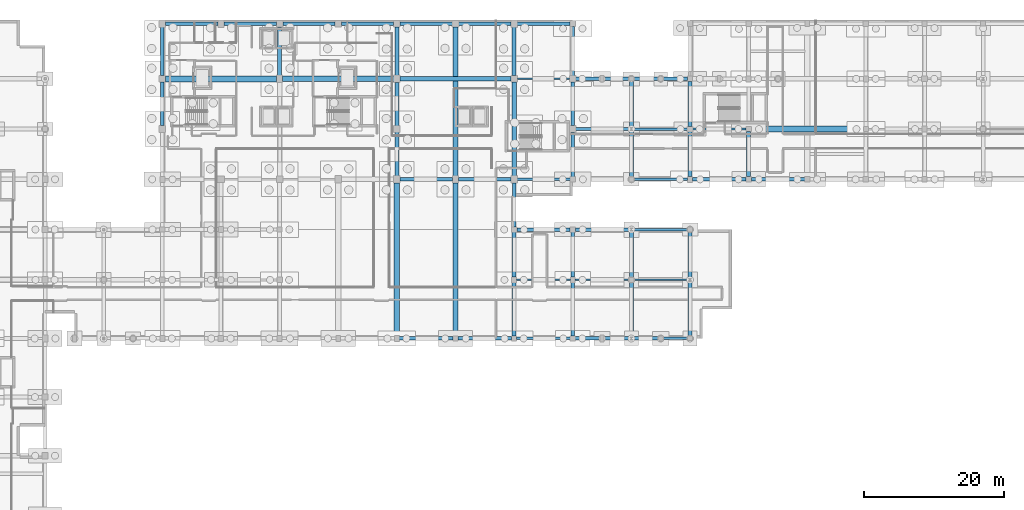
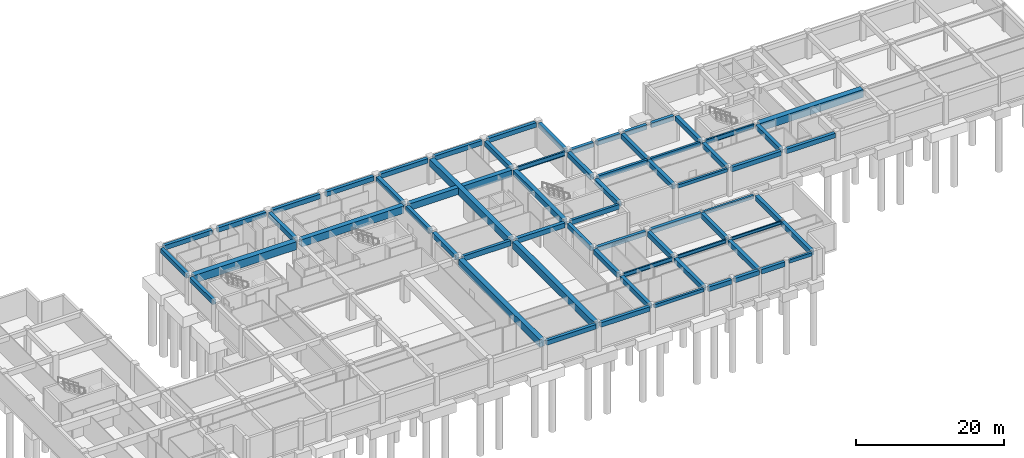
# One storey, part 21 of 42: 66 beams.
"""IFC4 building model written with IfcOpenShell, lengths in metres."""

from ifc_helpers import new_model, si_unit, direction, frame, origin, origin_2d, place, context, subcontext, project, spatial, rectangle, i_section, extrude, material, material_profile, profile_set, type_object, element, save


model = new_model("IFC4")

# Units and contexts
model_context = context("Model", 3, precision=1e-05, world=origin(), true_north=direction((0.0, 1.0)))
body_context = subcontext(model_context, "Body", "Model", "MODEL_VIEW")
ifc_project = project(units=[si_unit("LENGTHUNIT", "METRE"), si_unit("AREAUNIT", "SQUARE_METRE"), si_unit("VOLUMEUNIT", "CUBIC_METRE"), si_unit("PLANEANGLEUNIT", "RADIAN"), si_unit("MASSUNIT", "GRAM", prefix="KILO")], contexts=[model_context])

# Site, building, storey
site_placement = place(None, origin())
site = spatial("IfcSite", under=ifc_project, at=site_placement, CompositionType="ELEMENT")
building_placement = place(site_placement, origin())
building = spatial("IfcBuilding", under=site, at=building_placement, Name="Quendrovan Civic Courthouse", CompositionType="ELEMENT")
storey_placement = place(building_placement, frame((0.0, 0.0, -4.5)))
storey = spatial("IfcBuildingStorey", under=building, at=storey_placement, Name="B1", CompositionType="ELEMENT", Elevation=-4.5)

# Beams
ifc_material_1 = material(Name="Post-tensioned concrete C50/60", Category="concrete")
ifc_material_profile_1 = material_profile(ifc_material_1, rectangle(XDim=0.699951171875, YDim=1.10009765625, at=origin_2d()), Name="PT-GIRD-700x1100")
ifc_profile_set_1 = profile_set([ifc_material_profile_1], Name="Post-tensioned concrete C50/60")
beam_type_1 = type_object("IfcBeamType", Name="BM-PT1100", PredefinedType="BEAM", material=ifc_profile_set_1)
beam_1_placement = place(storey_placement, frame((67.6298828125, 102.0, 3.669921875), z_axis=(1.0, 0.0, 0.0), x_axis=(0.0, 1.0, 0.0)))
element("IfcBeam", 1, at=beam_1_placement, inside=storey, type_object=beam_type_1, Name="B1 Girder X0105", PredefinedType="BEAM", context=body_context, shape_type="SweptSolid", body=[
    extrude(rectangle(XDim=0.699951171875, YDim=1.10009765625, at=origin_2d()), origin(), (0.0, 0.0, 1.0), 15.9150390625),
])
ifc_material_profile_2 = material_profile(ifc_material_1, rectangle(XDim=0.75, YDim=1.199951171875, at=origin_2d()), Name="PT-GIRD-750x1200")
ifc_profile_set_2 = profile_set([ifc_material_profile_2], Name="Post-tensioned concrete C50/60")
beam_type_2 = type_object("IfcBeamType", Name="BM-PT1200", PredefinedType="BEAM", material=ifc_profile_set_2)
beam_2_placement = place(storey_placement, frame((50.830078125, 102.0, 3.6201171875), z_axis=(1.0, 0.0, 0.0), x_axis=(0.0, 1.0, 0.0)))
element("IfcBeam", 2, at=beam_2_placement, inside=storey, type_object=beam_type_2, Name="B1 Girder X0104", PredefinedType="BEAM", context=body_context, shape_type="SweptSolid", body=[
    extrude(rectangle(XDim=0.75, YDim=1.199951171875, at=origin_2d()), origin(), (0.0, 0.0, 1.0), 15.93994140625),
])
beam_3_placement = place(storey_placement, frame((67.199951171875, 65.205078125, 3.6201171875), z_axis=(0.0, 1.0, 0.0), x_axis=(-1.0, 0.0, 0.0)))
element("IfcBeam", 3, at=beam_3_placement, inside=storey, type_object=beam_type_2, Name="B1 Girder Y0186", PredefinedType="BEAM", context=body_context, shape_type="SweptSolid", body=[
    extrude(rectangle(XDim=0.75, YDim=1.199951171875, at=origin_2d()), origin(), (0.0, 0.0, 1.0), 21.889892578125),
])
beam_4_placement = place(storey_placement, frame((75.60009765625, 65.155029296875, 3.6201171875), z_axis=(0.0, 1.0, 0.0), x_axis=(-1.0, 0.0, 0.0)))
element("IfcBeam", 4, at=beam_4_placement, inside=storey, type_object=beam_type_2, Name="B1 Girder Y0192", PredefinedType="BEAM", context=body_context, shape_type="SweptSolid", body=[
    extrude(rectangle(XDim=0.75, YDim=1.199951171875, at=origin_2d()), origin(), (0.0, 0.0, 1.0), 21.93994140625),
])
beam_5_placement = place(storey_placement, frame((75.60009765625, 88.10498046875, 3.6201171875), z_axis=(0.0, 1.0, 0.0), x_axis=(-1.0, 0.0, 0.0)))
element("IfcBeam", 5, at=beam_5_placement, inside=storey, type_object=beam_type_2, Name="B1 Girder Y0193", PredefinedType="BEAM", context=body_context, shape_type="SweptSolid", body=[
    extrude(rectangle(XDim=0.75, YDim=1.199951171875, at=origin_2d()), origin(), (0.0, 0.0, 1.0), 21.340087890625),
])
ifc_material_profile_3 = material_profile(ifc_material_1, rectangle(XDim=0.85009765625, YDim=1.300048828125, at=origin_2d()), Name="PT-GRD-850x1300")
ifc_profile_set_3 = profile_set([ifc_material_profile_3], Name="Post-tensioned concrete C50/60")
beam_type_3 = type_object("IfcBeamType", Name="BM-PT1300", PredefinedType="BEAM", material=ifc_profile_set_3)
beam_6_placement = place(storey_placement, frame((117.955078125, 94.800048828125, 3.570068359375), z_axis=(1.0, 0.0, 0.0), x_axis=(0.0, 1.0, 0.0)))
element("IfcBeam", 6, at=beam_6_placement, inside=storey, type_object=beam_type_3, Name="B1 Girder X0097", PredefinedType="BEAM", context=body_context, shape_type="SweptSolid", body=[
    extrude(rectangle(XDim=0.85009765625, YDim=1.300048828125, at=origin_2d()), origin(), (0.0, 0.0, 1.0), 16.08984375),
])
beam_7_placement = place(storey_placement, frame((34.054931640625, 102.0, 3.570068359375), z_axis=(1.0, 0.0, 0.0), x_axis=(0.0, 1.0, 0.0)))
element("IfcBeam", 7, at=beam_7_placement, inside=storey, type_object=beam_type_3, Name="B1 Girder X0103", PredefinedType="BEAM", context=body_context, shape_type="SweptSolid", body=[
    extrude(rectangle(XDim=0.85009765625, YDim=1.300048828125, at=origin_2d()), origin(), (0.0, 0.0, 1.0), 15.9150390625),
])
ifc_material_profile_4 = material_profile(ifc_material_1, rectangle(XDim=0.64990234375, YDim=0.949951171875, at=origin_2d()), Name="PT-GIRD-650x950")
ifc_profile_set_4 = profile_set([ifc_material_profile_4], Name="Post-tensioned concrete C50/60")
beam_type_4 = type_object("IfcBeamType", Name="BM-PT950", PredefinedType="BEAM", material=ifc_profile_set_4)
beam_8_placement = place(storey_placement, frame((84.0, 88.10498046875, 3.7451171875), z_axis=(0.0, 1.0, 0.0), x_axis=(-1.0, 0.0, 0.0)))
element("IfcBeam", 8, at=beam_8_placement, inside=storey, type_object=beam_type_4, Name="B1 Girder Y0198", PredefinedType="BEAM", context=body_context, shape_type="SweptSolid", body=[
    extrude(rectangle(XDim=0.64990234375, YDim=0.949951171875, at=origin_2d()), origin(), (0.0, 0.0, 1.0), 13.43994140625),
])
ifc_material_2 = material(Name="Concrete C40/50", Category="concrete")
ifc_material_profile_5 = material_profile(ifc_material_2, rectangle(XDim=0.35009765625, YDim=0.550048828125, at=origin_2d()), Name="RC-BM-350x550")
ifc_profile_set_5 = profile_set([ifc_material_profile_5], Name="Concrete C40/50")
beam_type_5 = type_object("IfcBeamType", Name="BM-RC550", PredefinedType="LINTEL", material=ifc_profile_set_5)
beam_9_placement = place(storey_placement, frame((84.35498046875, 64.800048828125, 3.945068359375), z_axis=(1.0, 0.0, 0.0), x_axis=(0.0, 1.0, 0.0)))
element("IfcBeam", 9, at=beam_9_placement, inside=storey, type_object=beam_type_5, Name="B1 Girder X0057", PredefinedType="LINTEL", context=body_context, shape_type="SweptSolid", body=[
    extrude(rectangle(XDim=0.35009765625, YDim=0.550048828125, at=origin_2d()), origin(), (0.0, 0.0, 1.0), 7.68994140625),
])
beam_10_placement = place(storey_placement, frame((105.35498046875, 64.800048828125, 3.945068359375), z_axis=(1.0, 0.0, 0.0), x_axis=(0.0, 1.0, 0.0)))
element("IfcBeam", 10, at=beam_10_placement, inside=storey, type_object=beam_type_5, Name="B1 Girder X0061", PredefinedType="LINTEL", context=body_context, shape_type="SweptSolid", body=[
    extrude(rectangle(XDim=0.35009765625, YDim=0.550048828125, at=origin_2d()), origin(), (0.0, 0.0, 1.0), 3.5400390625),
])
beam_11_placement = place(storey_placement, frame((100.967041015625, 80.39990234375, 3.945068359375), z_axis=(1.0, 0.0, 0.0), x_axis=(0.0, 1.0, 0.0)))
element("IfcBeam", 11, at=beam_11_placement, inside=storey, type_object=beam_type_5, Name="B1 Girder X0077", PredefinedType="LINTEL", context=body_context, shape_type="SweptSolid", body=[
    extrude(rectangle(XDim=0.35009765625, YDim=0.550048828125, at=origin_2d()), origin(), (0.0, 0.0, 1.0), 7.903076171875),
])
beam_12_placement = place(storey_placement, frame((101.1298828125, 87.60009765625, 3.945068359375), z_axis=(1.0, 0.0, 0.0), x_axis=(0.0, 1.0, 0.0)))
element("IfcBeam", 12, at=beam_12_placement, inside=storey, type_object=beam_type_5, Name="B1 Girder X0085", PredefinedType="LINTEL", context=body_context, shape_type="SweptSolid", body=[
    extrude(rectangle(XDim=0.35009765625, YDim=0.550048828125, at=origin_2d()), origin(), (0.0, 0.0, 1.0), 7.740234375),
])
ifc_material_profile_6 = material_profile(ifc_material_2, rectangle(XDim=0.35009765625, YDim=0.64990234375, at=origin_2d()), Name="RC-BM-350x650")
ifc_profile_set_6 = profile_set([ifc_material_profile_6], Name="Concrete C40/50")
beam_type_6 = type_object("IfcBeamType", Name="BM-RC650B", PredefinedType="BEAM", material=ifc_profile_set_6)
beam_13_placement = place(storey_placement, frame((100.967041015625, 94.800048828125, 3.89501953125), z_axis=(1.0, 0.0, 0.0), x_axis=(0.0, 1.0, 0.0)))
element("IfcBeam", 13, at=beam_13_placement, inside=storey, type_object=beam_type_6, Name="B1 Girder X0095", PredefinedType="BEAM", context=body_context, shape_type="SweptSolid", body=[
    extrude(rectangle(XDim=0.35009765625, YDim=0.64990234375, at=origin_2d()), origin(), (0.0, 0.0, 1.0), 7.85302734375),
])
ifc_material_profile_7 = material_profile(ifc_material_2, rectangle(XDim=0.5, YDim=0.75, at=origin_2d()), Name="RC-BM-500x750")
ifc_profile_set_7 = profile_set([ifc_material_profile_7], Name="Concrete C40/50")
beam_type_7 = type_object("IfcBeamType", Name="BM-RC750", PredefinedType="SPANDREL", material=ifc_profile_set_7)
beam_14_placement = place(storey_placement, frame((67.530029296875, 64.800048828125, 3.844970703125), z_axis=(1.0, 0.0, 0.0), x_axis=(0.0, 1.0, 0.0)))
element("IfcBeam", 14, at=beam_14_placement, inside=storey, type_object=beam_type_7, Name="B1 Girder X0055", PredefinedType="SPANDREL", context=body_context, shape_type="SweptSolid", body=[
    extrude(rectangle(XDim=0.5, YDim=0.75, at=origin_2d()), origin(), (0.0, 0.0, 1.0), 7.715087890625),
])
beam_15_placement = place(storey_placement, frame((75.955078125, 64.800048828125, 3.844970703125), z_axis=(1.0, 0.0, 0.0), x_axis=(0.0, 1.0, 0.0)))
element("IfcBeam", 15, at=beam_15_placement, inside=storey, type_object=beam_type_7, Name="B1 Girder X0056", PredefinedType="SPANDREL", context=body_context, shape_type="SweptSolid", body=[
    extrude(rectangle(XDim=0.5, YDim=0.75, at=origin_2d()), origin(), (0.0, 0.0, 1.0), 7.68994140625),
])
beam_16_placement = place(storey_placement, frame((92.7548828125, 64.800048828125, 3.844970703125), z_axis=(1.0, 0.0, 0.0), x_axis=(0.0, 1.0, 0.0)))
element("IfcBeam", 16, at=beam_16_placement, inside=storey, type_object=beam_type_7, Name="B1 Girder X0058", PredefinedType="SPANDREL", context=body_context, shape_type="SweptSolid", body=[
    extrude(rectangle(XDim=0.5, YDim=0.75, at=origin_2d()), origin(), (0.0, 0.0, 1.0), 3.590087890625),
])
beam_17_placement = place(storey_placement, frame((96.85498046875, 64.800048828125, 3.844970703125), z_axis=(1.0, 0.0, 0.0), x_axis=(0.0, 1.0, 0.0)))
element("IfcBeam", 17, at=beam_17_placement, inside=storey, type_object=beam_type_7, Name="B1 Girder X0059", PredefinedType="SPANDREL", context=body_context, shape_type="SweptSolid", body=[
    extrude(rectangle(XDim=0.5, YDim=0.75, at=origin_2d()), origin(), (0.0, 0.0, 1.0), 3.778076171875),
])
beam_18_placement = place(storey_placement, frame((100.967041015625, 64.800048828125, 3.844970703125), z_axis=(1.0, 0.0, 0.0), x_axis=(0.0, 1.0, 0.0)))
element("IfcBeam", 18, at=beam_18_placement, inside=storey, type_object=beam_type_7, Name="B1 Girder X0060", PredefinedType="SPANDREL", context=body_context, shape_type="SweptSolid", body=[
    extrude(rectangle(XDim=0.5, YDim=0.75, at=origin_2d()), origin(), (0.0, 0.0, 1.0), 3.677978515625),
])
beam_19_placement = place(storey_placement, frame((84.3798828125, 80.39990234375, 3.844970703125), z_axis=(1.0, 0.0, 0.0), x_axis=(0.0, 1.0, 0.0)))
element("IfcBeam", 19, at=beam_19_placement, inside=storey, type_object=beam_type_7, Name="B1 Girder X0075", PredefinedType="SPANDREL", context=body_context, shape_type="SweptSolid", body=[
    extrude(rectangle(XDim=0.5, YDim=0.75, at=origin_2d()), origin(), (0.0, 0.0, 1.0), 7.64013671875),
])
beam_20_placement = place(storey_placement, frame((92.780029296875, 80.39990234375, 3.844970703125), z_axis=(1.0, 0.0, 0.0), x_axis=(0.0, 1.0, 0.0)))
element("IfcBeam", 20, at=beam_20_placement, inside=storey, type_object=beam_type_7, Name="B1 Girder X0076", PredefinedType="SPANDREL", context=body_context, shape_type="SweptSolid", body=[
    extrude(rectangle(XDim=0.5, YDim=0.75, at=origin_2d()), origin(), (0.0, 0.0, 1.0), 7.85302734375),
])
beam_21_placement = place(storey_placement, frame((109.530029296875, 87.60009765625, 3.844970703125), z_axis=(1.0, 0.0, 0.0), x_axis=(0.0, 1.0, 0.0)))
element("IfcBeam", 21, at=beam_21_placement, inside=storey, type_object=beam_type_7, Name="B1 Girder X0086", PredefinedType="SPANDREL", context=body_context, shape_type="SweptSolid", body=[
    extrude(rectangle(XDim=0.5, YDim=0.75, at=origin_2d()), origin(), (0.0, 0.0, 1.0), 7.68994140625),
])
beam_22_placement = place(storey_placement, frame((117.97998046875, 87.60009765625, 3.844970703125), z_axis=(1.0, 0.0, 0.0), x_axis=(0.0, 1.0, 0.0)))
element("IfcBeam", 22, at=beam_22_placement, inside=storey, type_object=beam_type_7, Name="B1 Girder X0087", PredefinedType="SPANDREL", context=body_context, shape_type="SweptSolid", body=[
    extrude(rectangle(XDim=0.5, YDim=0.75, at=origin_2d()), origin(), (0.0, 0.0, 1.0), 7.6650390625),
])
beam_23_placement = place(storey_placement, frame((92.830078125, 102.0, 3.844970703125), z_axis=(1.0, 0.0, 0.0), x_axis=(0.0, 1.0, 0.0)))
element("IfcBeam", 23, at=beam_23_placement, inside=storey, type_object=beam_type_7, Name="B1 Girder X0107", PredefinedType="SPANDREL", context=body_context, shape_type="SweptSolid", body=[
    extrude(rectangle(XDim=0.5, YDim=0.75, at=origin_2d()), origin(), (0.0, 0.0, 1.0), 3.514892578125),
])
beam_24_placement = place(storey_placement, frame((96.85498046875, 102.0, 3.844970703125), z_axis=(1.0, 0.0, 0.0), x_axis=(0.0, 1.0, 0.0)))
element("IfcBeam", 24, at=beam_24_placement, inside=storey, type_object=beam_type_7, Name="B1 Girder X0108", PredefinedType="SPANDREL", context=body_context, shape_type="SweptSolid", body=[
    extrude(rectangle(XDim=0.5, YDim=0.75, at=origin_2d()), origin(), (0.0, 0.0, 1.0), 3.614990234375),
])
beam_25_placement = place(storey_placement, frame((101.1298828125, 102.0, 3.844970703125), z_axis=(1.0, 0.0, 0.0), x_axis=(0.0, 1.0, 0.0)))
element("IfcBeam", 25, at=beam_25_placement, inside=storey, type_object=beam_type_7, Name="B1 Girder X0109", PredefinedType="SPANDREL", context=body_context, shape_type="SweptSolid", body=[
    extrude(rectangle(XDim=0.5, YDim=0.75, at=origin_2d()), origin(), (0.0, 0.0, 1.0), 3.51513671875),
])
beam_26_placement = place(storey_placement, frame((105.35498046875, 102.0, 3.844970703125), z_axis=(1.0, 0.0, 0.0), x_axis=(0.0, 1.0, 0.0)))
element("IfcBeam", 26, at=beam_26_placement, inside=storey, type_object=beam_type_7, Name="B1 Girder X0110", PredefinedType="SPANDREL", context=body_context, shape_type="SweptSolid", body=[
    extrude(rectangle(XDim=0.5, YDim=0.75, at=origin_2d()), origin(), (0.0, 0.0, 1.0), 3.489990234375),
])
beam_27_placement = place(storey_placement, frame((34.030029296875, 109.89990234375, 3.844970703125), z_axis=(1.0, 0.0, 0.0), x_axis=(0.0, 1.0, 0.0)))
element("IfcBeam", 27, at=beam_27_placement, inside=storey, type_object=beam_type_7, Name="B1 Girder X0118", PredefinedType="SPANDREL", context=body_context, shape_type="SweptSolid", body=[
    extrude(rectangle(XDim=0.5, YDim=0.75, at=origin_2d()), origin(), (0.0, 0.0, 1.0), 7.5400390625),
])
beam_28_placement = place(storey_placement, frame((42.429931640625, 109.89990234375, 3.844970703125), z_axis=(1.0, 0.0, 0.0), x_axis=(0.0, 1.0, 0.0)))
element("IfcBeam", 28, at=beam_28_placement, inside=storey, type_object=beam_type_7, Name="B1 Girder X0119", PredefinedType="SPANDREL", context=body_context, shape_type="SweptSolid", body=[
    extrude(rectangle(XDim=0.5, YDim=0.75, at=origin_2d()), origin(), (0.0, 0.0, 1.0), 7.51513671875),
])
beam_29_placement = place(storey_placement, frame((50.85498046875, 109.89990234375, 3.844970703125), z_axis=(1.0, 0.0, 0.0), x_axis=(0.0, 1.0, 0.0)))
element("IfcBeam", 29, at=beam_29_placement, inside=storey, type_object=beam_type_7, Name="B1 Girder X0120", PredefinedType="SPANDREL", context=body_context, shape_type="SweptSolid", body=[
    extrude(rectangle(XDim=0.5, YDim=0.75, at=origin_2d()), origin(), (0.0, 0.0, 1.0), 7.489990234375),
])
beam_30_placement = place(storey_placement, frame((59.2548828125, 109.89990234375, 3.844970703125), z_axis=(1.0, 0.0, 0.0), x_axis=(0.0, 1.0, 0.0)))
element("IfcBeam", 30, at=beam_30_placement, inside=storey, type_object=beam_type_7, Name="B1 Girder X0121", PredefinedType="SPANDREL", context=body_context, shape_type="SweptSolid", body=[
    extrude(rectangle(XDim=0.5, YDim=0.75, at=origin_2d()), origin(), (0.0, 0.0, 1.0), 7.490234375),
])
beam_31_placement = place(storey_placement, frame((67.655029296875, 109.89990234375, 3.844970703125), z_axis=(1.0, 0.0, 0.0), x_axis=(0.0, 1.0, 0.0)))
element("IfcBeam", 31, at=beam_31_placement, inside=storey, type_object=beam_type_7, Name="B1 Girder X0122", PredefinedType="SPANDREL", context=body_context, shape_type="SweptSolid", body=[
    extrude(rectangle(XDim=0.5, YDim=0.75, at=origin_2d()), origin(), (0.0, 0.0, 1.0), 7.489990234375),
])
beam_32_placement = place(storey_placement, frame((76.054931640625, 109.89990234375, 3.844970703125), z_axis=(1.0, 0.0, 0.0), x_axis=(0.0, 1.0, 0.0)))
element("IfcBeam", 32, at=beam_32_placement, inside=storey, type_object=beam_type_7, Name="B1 Girder X0123", PredefinedType="SPANDREL", context=body_context, shape_type="SweptSolid", body=[
    extrude(rectangle(XDim=0.5, YDim=0.75, at=origin_2d()), origin(), (0.0, 0.0, 1.0), 7.51513671875),
])
beam_33_placement = place(storey_placement, frame((84.429931640625, 109.89990234375, 3.844970703125), z_axis=(1.0, 0.0, 0.0), x_axis=(0.0, 1.0, 0.0)))
element("IfcBeam", 33, at=beam_33_placement, inside=storey, type_object=beam_type_7, Name="B1 Girder X0124", PredefinedType="SPANDREL", context=body_context, shape_type="SweptSolid", body=[
    extrude(rectangle(XDim=0.5, YDim=0.75, at=origin_2d()), origin(), (0.0, 0.0, 1.0), 7.565185546875),
])
beam_34_placement = place(storey_placement, frame((33.60009765625, 95.304931640625, 3.844970703125), z_axis=(0.0, 1.0, 0.0), x_axis=(-1.0, 0.0, 0.0)))
element("IfcBeam", 34, at=beam_34_placement, inside=storey, type_object=beam_type_7, Name="B1 Girder Y0167", PredefinedType="SPANDREL", context=body_context, shape_type="SweptSolid", body=[
    extrude(rectangle(XDim=0.5, YDim=0.75, at=origin_2d()), origin(), (0.0, 0.0, 1.0), 6.239990234375),
])
beam_35_placement = place(storey_placement, frame((33.60009765625, 102.455078125, 3.844970703125), z_axis=(0.0, 1.0, 0.0), x_axis=(-1.0, 0.0, 0.0)))
element("IfcBeam", 35, at=beam_35_placement, inside=storey, type_object=beam_type_7, Name="B1 Girder Y0168", PredefinedType="SPANDREL", context=body_context, shape_type="SweptSolid", body=[
    extrude(rectangle(XDim=0.5, YDim=0.75, at=origin_2d()), origin(), (0.0, 0.0, 1.0), 6.93994140625),
])
beam_36_placement = place(storey_placement, frame((84.0, 80.780029296875, 3.844970703125), z_axis=(0.0, 1.0, 0.0), x_axis=(-1.0, 0.0, 0.0)))
element("IfcBeam", 36, at=beam_36_placement, inside=storey, type_object=beam_type_7, Name="B1 Girder Y0197", PredefinedType="SPANDREL", context=body_context, shape_type="SweptSolid", body=[
    extrude(rectangle(XDim=0.5, YDim=0.75, at=origin_2d()), origin(), (0.0, 0.0, 1.0), 6.31494140625),
])
beam_37_placement = place(storey_placement, frame((92.39990234375, 102.429931640625, 3.844970703125), z_axis=(0.0, 1.0, 0.0), x_axis=(-1.0, 0.0, 0.0)))
element("IfcBeam", 37, at=beam_37_placement, inside=storey, type_object=beam_type_7, Name="B1 Girder Y0206", PredefinedType="SPANDREL", context=body_context, shape_type="SweptSolid", body=[
    extrude(rectangle(XDim=0.5, YDim=0.75, at=origin_2d()), origin(), (0.0, 0.0, 1.0), 7.065185546875),
])
ifc_material_profile_8 = material_profile(ifc_material_2, rectangle(XDim=0.39990234375, YDim=0.75, at=origin_2d()), Name="RC-BM-400x750")
ifc_profile_set_8 = profile_set([ifc_material_profile_8], Name="Concrete C40/50")
beam_type_8 = type_object("IfcBeamType", Name="BM-RC750B", PredefinedType="BEAM", material=ifc_profile_set_8)
beam_38_placement = place(storey_placement, frame((84.429931640625, 87.60009765625, 3.844970703125), z_axis=(1.0, 0.0, 0.0), x_axis=(0.0, 1.0, 0.0)))
element("IfcBeam", 38, at=beam_38_placement, inside=storey, type_object=beam_type_8, Name="B1 Girder X0084", PredefinedType="BEAM", context=body_context, shape_type="SweptSolid", body=[
    extrude(rectangle(XDim=0.39990234375, YDim=0.75, at=origin_2d()), origin(), (0.0, 0.0, 1.0), 7.614990234375),
])
beam_39_placement = place(storey_placement, frame((92.830078125, 94.800048828125, 3.844970703125), z_axis=(1.0, 0.0, 0.0), x_axis=(0.0, 1.0, 0.0)))
element("IfcBeam", 39, at=beam_39_placement, inside=storey, type_object=beam_type_8, Name="B1 Girder X0094", PredefinedType="BEAM", context=body_context, shape_type="SweptSolid", body=[
    extrude(rectangle(XDim=0.39990234375, YDim=0.75, at=origin_2d()), origin(), (0.0, 0.0, 1.0), 7.802978515625),
])
ifc_material_profile_9 = material_profile(ifc_material_2, rectangle(XDim=0.550048828125, YDim=0.800048828125, at=origin_2d()), Name="RC-BM-550x800")
ifc_profile_set_9 = profile_set([ifc_material_profile_9], Name="Concrete C40/50")
beam_type_9 = type_object("IfcBeamType", Name="BM-RC800", PredefinedType="BEAM", material=ifc_profile_set_9)
beam_40_placement = place(storey_placement, frame((76.030029296875, 87.60009765625, 3.820068359375), z_axis=(1.0, 0.0, 0.0), x_axis=(0.0, 1.0, 0.0)))
element("IfcBeam", 40, at=beam_40_placement, inside=storey, type_object=beam_type_9, Name="B1 Girder X0083", PredefinedType="BEAM", context=body_context, shape_type="SweptSolid", body=[
    extrude(rectangle(XDim=0.550048828125, YDim=0.800048828125, at=origin_2d()), origin(), (0.0, 0.0, 1.0), 7.5400390625),
])
beam_41_placement = place(storey_placement, frame((50.39990234375, 102.5048828125, 3.820068359375), z_axis=(0.0, 1.0, 0.0), x_axis=(-1.0, 0.0, 0.0)))
element("IfcBeam", 41, at=beam_41_placement, inside=storey, type_object=beam_type_9, Name="B1 Girder Y0180", PredefinedType="BEAM", context=body_context, shape_type="SweptSolid", body=[
    extrude(rectangle(XDim=0.550048828125, YDim=0.800048828125, at=origin_2d()), origin(), (0.0, 0.0, 1.0), 6.940185546875),
])
beam_42_placement = place(storey_placement, frame((67.199951171875, 88.10498046875, 3.820068359375), z_axis=(0.0, 1.0, 0.0), x_axis=(-1.0, 0.0, 0.0)))
element("IfcBeam", 42, at=beam_42_placement, inside=storey, type_object=beam_type_9, Name="B1 Girder Y0187", PredefinedType="BEAM", context=body_context, shape_type="SweptSolid", body=[
    extrude(rectangle(XDim=0.550048828125, YDim=0.800048828125, at=origin_2d()), origin(), (0.0, 0.0, 1.0), 6.239990234375),
])
beam_43_placement = place(storey_placement, frame((67.199951171875, 95.2548828125, 3.820068359375), z_axis=(0.0, 1.0, 0.0), x_axis=(-1.0, 0.0, 0.0)))
element("IfcBeam", 43, at=beam_43_placement, inside=storey, type_object=beam_type_9, Name="B1 Girder Y0188", PredefinedType="BEAM", context=body_context, shape_type="SweptSolid", body=[
    extrude(rectangle(XDim=0.550048828125, YDim=0.800048828125, at=origin_2d()), origin(), (0.0, 0.0, 1.0), 6.240234375),
])
beam_44_placement = place(storey_placement, frame((67.199951171875, 102.5048828125, 3.820068359375), z_axis=(0.0, 1.0, 0.0), x_axis=(-1.0, 0.0, 0.0)))
element("IfcBeam", 44, at=beam_44_placement, inside=storey, type_object=beam_type_9, Name="B1 Girder Y0189", PredefinedType="BEAM", context=body_context, shape_type="SweptSolid", body=[
    extrude(rectangle(XDim=0.550048828125, YDim=0.800048828125, at=origin_2d()), origin(), (0.0, 0.0, 1.0), 6.940185546875),
])
beam_45_placement = place(storey_placement, frame((84.0, 65.155029296875, 3.820068359375), z_axis=(0.0, 1.0, 0.0), x_axis=(-1.0, 0.0, 0.0)))
element("IfcBeam", 45, at=beam_45_placement, inside=storey, type_object=beam_type_9, Name="B1 Girder Y0195", PredefinedType="BEAM", context=body_context, shape_type="SweptSolid", body=[
    extrude(rectangle(XDim=0.550048828125, YDim=0.800048828125, at=origin_2d()), origin(), (0.0, 0.0, 1.0), 7.639892578125),
])
beam_46_placement = place(storey_placement, frame((84.0, 73.60498046875, 3.820068359375), z_axis=(0.0, 1.0, 0.0), x_axis=(-1.0, 0.0, 0.0)))
element("IfcBeam", 46, at=beam_46_placement, inside=storey, type_object=beam_type_9, Name="B1 Girder Y0196", PredefinedType="BEAM", context=body_context, shape_type="SweptSolid", body=[
    extrude(rectangle(XDim=0.550048828125, YDim=0.800048828125, at=origin_2d()), origin(), (0.0, 0.0, 1.0), 6.4150390625),
])
beam_47_placement = place(storey_placement, frame((84.0, 102.455078125, 3.820068359375), z_axis=(0.0, 1.0, 0.0), x_axis=(-1.0, 0.0, 0.0)))
element("IfcBeam", 47, at=beam_47_placement, inside=storey, type_object=beam_type_9, Name="B1 Girder Y0199", PredefinedType="BEAM", context=body_context, shape_type="SweptSolid", body=[
    extrude(rectangle(XDim=0.550048828125, YDim=0.800048828125, at=origin_2d()), origin(), (0.0, 0.0, 1.0), 6.93994140625),
])
beam_48_placement = place(storey_placement, frame((92.39990234375, 65.155029296875, 3.820068359375), z_axis=(0.0, 1.0, 0.0), x_axis=(-1.0, 0.0, 0.0)))
element("IfcBeam", 48, at=beam_48_placement, inside=storey, type_object=beam_type_9, Name="B1 Girder Y0202", PredefinedType="BEAM", context=body_context, shape_type="SweptSolid", body=[
    extrude(rectangle(XDim=0.550048828125, YDim=0.800048828125, at=origin_2d()), origin(), (0.0, 0.0, 1.0), 7.639892578125),
])
beam_49_placement = place(storey_placement, frame((92.39990234375, 73.60498046875, 3.820068359375), z_axis=(0.0, 1.0, 0.0), x_axis=(-1.0, 0.0, 0.0)))
element("IfcBeam", 49, at=beam_49_placement, inside=storey, type_object=beam_type_9, Name="B1 Girder Y0203", PredefinedType="BEAM", context=body_context, shape_type="SweptSolid", body=[
    extrude(rectangle(XDim=0.550048828125, YDim=0.800048828125, at=origin_2d()), origin(), (0.0, 0.0, 1.0), 6.4150390625),
])
beam_50_placement = place(storey_placement, frame((92.39990234375, 87.955078125, 3.820068359375), z_axis=(0.0, 1.0, 0.0), x_axis=(-1.0, 0.0, 0.0)))
element("IfcBeam", 50, at=beam_50_placement, inside=storey, type_object=beam_type_9, Name="B1 Girder Y0204", PredefinedType="BEAM", context=body_context, shape_type="SweptSolid", body=[
    extrude(rectangle(XDim=0.550048828125, YDim=0.800048828125, at=origin_2d()), origin(), (0.0, 0.0, 1.0), 6.33984375),
])
beam_51_placement = place(storey_placement, frame((92.39990234375, 95.304931640625, 3.820068359375), z_axis=(0.0, 1.0, 0.0), x_axis=(-1.0, 0.0, 0.0)))
element("IfcBeam", 51, at=beam_51_placement, inside=storey, type_object=beam_type_9, Name="B1 Girder Y0205", PredefinedType="BEAM", context=body_context, shape_type="SweptSolid", body=[
    extrude(rectangle(XDim=0.550048828125, YDim=0.800048828125, at=origin_2d()), origin(), (0.0, 0.0, 1.0), 6.26513671875),
])
beam_52_placement = place(storey_placement, frame((100.800048828125, 64.966064453125, 3.820068359375), z_axis=(0.0, 1.0, 0.0), x_axis=(-1.0, 0.0, 0.0)))
element("IfcBeam", 52, at=beam_52_placement, inside=storey, type_object=beam_type_9, Name="B1 Girder Y0209", PredefinedType="BEAM", context=body_context, shape_type="SweptSolid", body=[
    extrude(rectangle(XDim=0.550048828125, YDim=0.800048828125, at=origin_2d()), origin(), (0.0, 0.0, 1.0), 7.904052734375),
])
beam_53_placement = place(storey_placement, frame((100.800048828125, 73.530029296875, 3.820068359375), z_axis=(0.0, 1.0, 0.0), x_axis=(-1.0, 0.0, 0.0)))
element("IfcBeam", 53, at=beam_53_placement, inside=storey, type_object=beam_type_9, Name="B1 Girder Y0210", PredefinedType="BEAM", context=body_context, shape_type="SweptSolid", body=[
    extrude(rectangle(XDim=0.550048828125, YDim=0.800048828125, at=origin_2d()), origin(), (0.0, 0.0, 1.0), 6.703857421875),
])
beam_54_placement = place(storey_placement, frame((100.800048828125, 87.929931640625, 3.820068359375), z_axis=(0.0, 1.0, 0.0), x_axis=(-1.0, 0.0, 0.0)))
element("IfcBeam", 54, at=beam_54_placement, inside=storey, type_object=beam_type_9, Name="B1 Girder Y0211", PredefinedType="BEAM", context=body_context, shape_type="SweptSolid", body=[
    extrude(rectangle(XDim=0.550048828125, YDim=0.800048828125, at=origin_2d()), origin(), (0.0, 0.0, 1.0), 6.7041015625),
])
beam_55_placement = place(storey_placement, frame((100.800048828125, 94.966064453125, 3.820068359375), z_axis=(0.0, 1.0, 0.0), x_axis=(-1.0, 0.0, 0.0)))
element("IfcBeam", 55, at=beam_55_placement, inside=storey, type_object=beam_type_9, Name="B1 Girder Y0212", PredefinedType="BEAM", context=body_context, shape_type="SweptSolid", body=[
    extrude(rectangle(XDim=0.550048828125, YDim=0.800048828125, at=origin_2d()), origin(), (0.0, 0.0, 1.0), 6.703857421875),
])
beam_56_placement = place(storey_placement, frame((109.199951171875, 65.10498046875, 3.820068359375), z_axis=(0.0, 1.0, 0.0), x_axis=(-1.0, 0.0, 0.0)))
element("IfcBeam", 56, at=beam_56_placement, inside=storey, type_object=beam_type_9, Name="B1 Girder Y0215", PredefinedType="BEAM", context=body_context, shape_type="SweptSolid", body=[
    extrude(rectangle(XDim=0.550048828125, YDim=0.800048828125, at=origin_2d()), origin(), (0.0, 0.0, 1.0), 7.928955078125),
])
beam_57_placement = place(storey_placement, frame((109.199951171875, 73.365966796875, 3.820068359375), z_axis=(0.0, 1.0, 0.0), x_axis=(-1.0, 0.0, 0.0)))
element("IfcBeam", 57, at=beam_57_placement, inside=storey, type_object=beam_type_9, Name="B1 Girder Y0216", PredefinedType="BEAM", context=body_context, shape_type="SweptSolid", body=[
    extrude(rectangle(XDim=0.550048828125, YDim=0.800048828125, at=origin_2d()), origin(), (0.0, 0.0, 1.0), 6.7041015625),
])
beam_58_placement = place(storey_placement, frame((109.199951171875, 88.0048828125, 3.820068359375), z_axis=(0.0, 1.0, 0.0), x_axis=(-1.0, 0.0, 0.0)))
element("IfcBeam", 58, at=beam_58_placement, inside=storey, type_object=beam_type_9, Name="B1 Girder Y0217", PredefinedType="BEAM", context=body_context, shape_type="SweptSolid", body=[
    extrude(rectangle(XDim=0.550048828125, YDim=0.800048828125, at=origin_2d()), origin(), (0.0, 0.0, 1.0), 6.4150390625),
])
for number, where, z_axis, x_axis, name in (
    (59, (109.199951171875, 95.179931640625, 3.820068359375), (0.0, 1.0, 0.0), (-1.0, 0.0, 0.0), "B1 Girder Y0218"),
    (60, (117.60009765625, 87.97998046875, 3.820068359375), (0.0, 1.0, 0.0), (-1.0, 0.0, 0.0), "B1 Girder Y0220"),
):
    element("IfcBeam", number, at=place(storey_placement, frame(where, z_axis=z_axis, x_axis=x_axis)), inside=storey, type_object=beam_type_9, Name=name, PredefinedType="BEAM", context=body_context, shape_type="SweptSolid", body=[
        extrude(rectangle(XDim=0.550048828125, YDim=0.800048828125, at=origin_2d()), origin(), (0.0, 0.0, 1.0), 6.465087890625),
    ])
ifc_material_3 = material(Name="Concrete C45/55", Category="concrete")
ifc_material_profile_10 = material_profile(ifc_material_3, rectangle(XDim=0.449951171875, YDim=0.85009765625, at=origin_2d()), Name="RC-BM-450x850")
ifc_profile_set_10 = profile_set([ifc_material_profile_10], Name="Concrete C45/55")
beam_type_10 = type_object("IfcBeamType", Name="BM-RC850", PredefinedType="BEAM", material=ifc_profile_set_10)
beam_59_placement = place(storey_placement, frame((67.6298828125, 87.60009765625, 3.794921875), z_axis=(1.0, 0.0, 0.0), x_axis=(0.0, 1.0, 0.0)))
element("IfcBeam", 61, at=beam_59_placement, inside=storey, type_object=beam_type_10, Name="B1 Girder X0082", PredefinedType="BEAM", context=body_context, shape_type="SweptSolid", body=[
    extrude(rectangle(XDim=0.449951171875, YDim=0.85009765625, at=origin_2d()), origin(), (0.0, 0.0, 1.0), 7.5400390625),
])
ifc_material_4 = material(Name="Steel ASTM A992 Grade 50", Category="steel")
ifc_material_profile_11 = material_profile(ifc_material_4, i_section(OverallWidth=0.208984375, OverallDepth=0.532958984375, WebThickness=0.01025390625, FlangeThickness=0.015625, at=origin_2d()), Name="W21X62")
ifc_profile_set_11 = profile_set([ifc_material_profile_11], Name="Steel ASTM A992 Grade 50")
beam_type_11 = type_object("IfcBeamType", Name="BM-STL-W21", PredefinedType="JOIST", material=ifc_profile_set_11)
beam_60_placement = place(storey_placement, frame((101.1298828125, 73.199951171875, 3.95361328125), z_axis=(1.0, 0.0, 0.0), x_axis=(0.0, 1.0, 0.0)))
element("IfcBeam", 62, at=beam_60_placement, inside=storey, type_object=beam_type_11, Name="B1 Girder X0069", PredefinedType="JOIST", context=body_context, shape_type="SweptSolid", body=[
    extrude(i_section(OverallWidth=0.208984375, OverallDepth=0.532958984375, WebThickness=0.01025390625, FlangeThickness=0.015625, at=origin_2d()), origin(), (0.0, 0.0, 1.0), 7.903076171875),
])
ifc_material_profile_12 = material_profile(ifc_material_4, i_section(OverallWidth=0.22802734375, OverallDepth=0.60693359375, WebThickness=0.01123046875, FlangeThickness=0.017333984375, at=origin_2d()), Name="W24X76")
ifc_profile_set_12 = profile_set([ifc_material_profile_12], Name="Steel ASTM A992 Grade 50")
beam_type_12 = type_object("IfcBeamType", Name="BM-STL-W24", PredefinedType="BEAM", material=ifc_profile_set_12)
beam_61_placement = place(storey_placement, frame((92.72998046875, 73.199951171875, 3.91650390625), z_axis=(1.0, 0.0, 0.0), x_axis=(0.0, 1.0, 0.0)))
element("IfcBeam", 63, at=beam_61_placement, inside=storey, type_object=beam_type_12, Name="B1 Girder X0068", PredefinedType="BEAM", context=body_context, shape_type="SweptSolid", body=[
    extrude(i_section(OverallWidth=0.22802734375, OverallDepth=0.60693359375, WebThickness=0.01123046875, FlangeThickness=0.017333984375, at=origin_2d()), origin(), (0.0, 0.0, 1.0), 7.739990234375),
])
ifc_material_profile_13 = material_profile(ifc_material_4, i_section(OverallWidth=0.25390625, OverallDepth=0.68408203125, WebThickness=0.012451171875, FlangeThickness=0.018798828125, at=origin_2d()), Name="W27X94")
ifc_profile_set_13 = profile_set([ifc_material_profile_13], Name="Steel ASTM A992 Grade 50")
beam_type_13 = type_object("IfcBeamType", Name="BM-STL-W27", PredefinedType="BEAM", material=ifc_profile_set_13)
beam_62_placement = place(storey_placement, frame((84.330078125, 73.199951171875, 3.8779296875), z_axis=(1.0, 0.0, 0.0), x_axis=(0.0, 1.0, 0.0)))
element("IfcBeam", 64, at=beam_62_placement, inside=storey, type_object=beam_type_13, Name="B1 Girder X0067", PredefinedType="BEAM", context=body_context, shape_type="SweptSolid", body=[
    extrude(i_section(OverallWidth=0.25390625, OverallDepth=0.68408203125, WebThickness=0.012451171875, FlangeThickness=0.018798828125, at=origin_2d()), origin(), (0.0, 0.0, 1.0), 7.739990234375),
])
ifc_material_profile_14 = material_profile(ifc_material_4, i_section(OverallWidth=0.26611328125, OverallDepth=0.758056640625, WebThickness=0.013916015625, FlangeThickness=0.019287109375, at=origin_2d()), Name="W30X108")
ifc_profile_set_14 = profile_set([ifc_material_profile_14], Name="Steel ASTM A992 Grade 50")
beam_type_14 = type_object("IfcBeamType", Name="BM-STL-W30", PredefinedType="BEAM", material=ifc_profile_set_14)
beam_63_placement = place(storey_placement, frame((109.580078125, 94.800048828125, 3.841064453125), z_axis=(1.0, 0.0, 0.0), x_axis=(0.0, 1.0, 0.0)))
element("IfcBeam", 65, at=beam_63_placement, inside=storey, type_object=beam_type_14, Name="B1 Girder X0096", PredefinedType="BEAM", context=body_context, shape_type="SweptSolid", body=[
    extrude(i_section(OverallWidth=0.26611328125, OverallDepth=0.758056640625, WebThickness=0.013916015625, FlangeThickness=0.019287109375, at=origin_2d()), origin(), (0.0, 0.0, 1.0), 7.6650390625),
])
beam_64_placement = place(storey_placement, frame((84.455078125, 102.0, 3.841064453125), z_axis=(1.0, 0.0, 0.0), x_axis=(0.0, 1.0, 0.0)))
element("IfcBeam", 66, at=beam_64_placement, inside=storey, type_object=beam_type_14, Name="B1 Girder X0106", PredefinedType="BEAM", context=body_context, shape_type="SweptSolid", body=[
    extrude(i_section(OverallWidth=0.26611328125, OverallDepth=0.758056640625, WebThickness=0.013916015625, FlangeThickness=0.019287109375, at=origin_2d()), origin(), (0.0, 0.0, 1.0), 7.514892578125),
])

save(model, "model.ifc")
